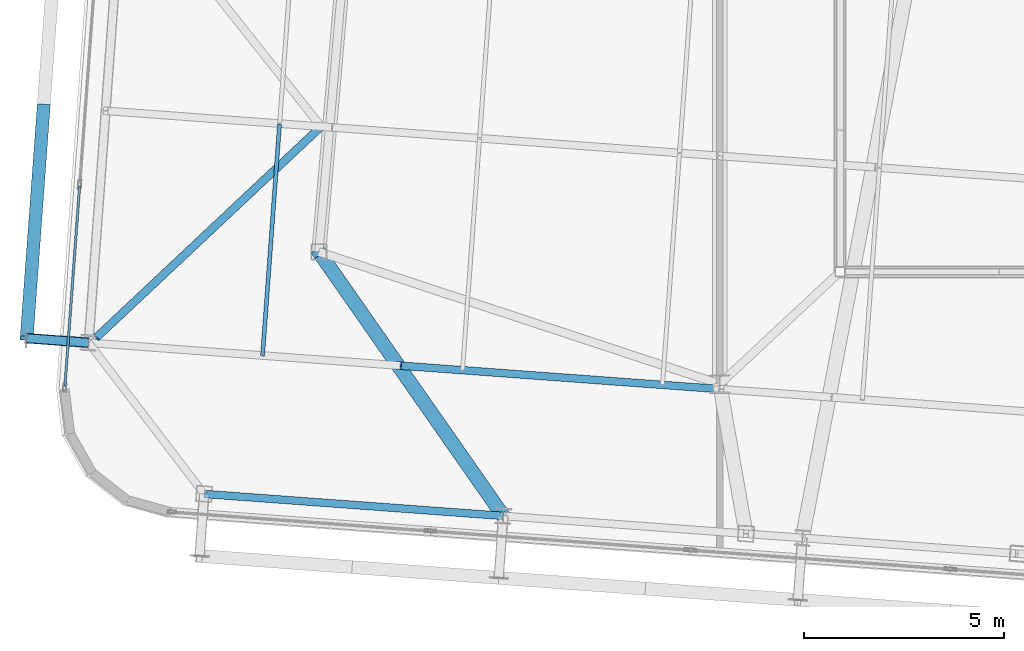
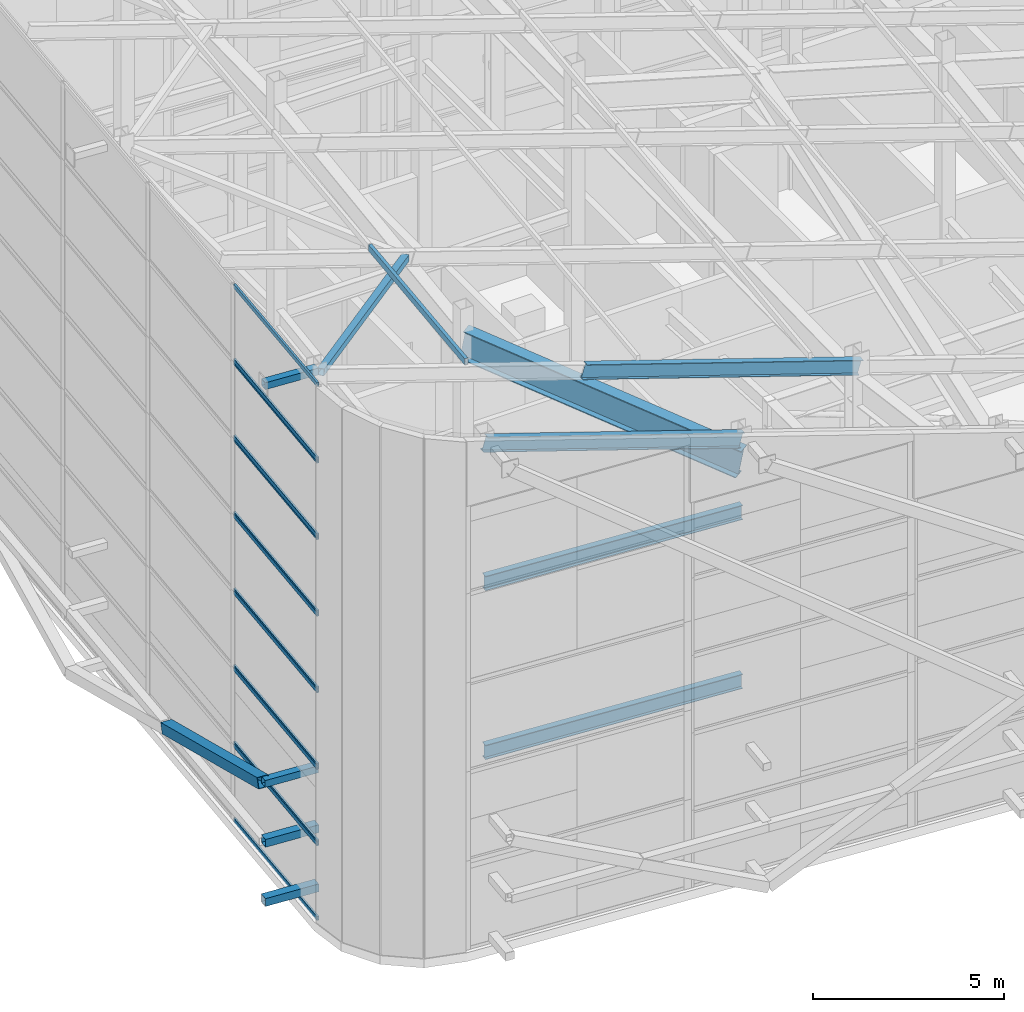
# One storey, part 7 of 56: 22 members, 4 beams, 7 elements without a shape of their own.
"""IFC4 building model written with IfcOpenShell, lengths in metres."""

from ifc_helpers import new_model, si_unit, direction, frame, origin, origin_2d, place, context, subcontext, project, spatial, hollow_rectangle, i_section, extrude, source, transform, mapped, material, layer, layer_set, material_profile, profile_set, type_object, element, aggregate, save


model = new_model("IFC4")

# Units and contexts
model_context = context("Model", 3, precision=1e-05, world=origin(), true_north=direction((0.0, 1.0)))
body_context = subcontext(model_context, "Body", "Model", "MODEL_VIEW")
ifc_project = project(units=[si_unit("LENGTHUNIT", "METRE"), si_unit("AREAUNIT", "SQUARE_METRE"), si_unit("VOLUMEUNIT", "CUBIC_METRE"), si_unit("PLANEANGLEUNIT", "RADIAN"), si_unit("MASSUNIT", "GRAM", prefix="KILO")], contexts=[model_context])

# Site, building, storey
site_placement = place(None, origin())
site = spatial("IfcSite", under=ifc_project, at=site_placement, CompositionType="ELEMENT")
building_placement = place(site_placement, origin())
building = spatial("IfcBuilding", under=site, at=building_placement, Name="Taldren Reach Tower", CompositionType="ELEMENT")
storey_placement = place(building_placement, frame((0.0, 0.0, 253.050048828125)))
storey = spatial("IfcBuildingStorey", under=building, at=storey_placement, Name="L77", CompositionType="ELEMENT", Elevation=253.050048828125)

# Members
ifc_material_1 = material(Name="Steel Gr 350 (C350L0)", Category="steel")
ifc_material_profile_1 = material_profile(ifc_material_1, hollow_rectangle(XDim=0.25, YDim=0.25, WallThickness=0.010009765625, at=origin_2d()), Name="250x250x10.0SHS")
ifc_profile_set_1 = profile_set([ifc_material_profile_1], Name="Steel Gr 350 (C350L0)")
member_type_1 = type_object("IfcMemberType", Name="MB-POST250", PredefinedType="POST", material=ifc_profile_set_1)
shared_shape_1 = source(origin(), body_context, "Body", "SweptSolid", [
    extrude(hollow_rectangle(XDim=0.25, YDim=0.25, WallThickness=0.010009765625, at=origin_2d()), origin(), (0.0, 0.0, 1.0), 1.5498046875),
])
for number, where, z_axis, x_axis, name in (
    (1, (12.259033203125, 10.2314453125, 0.219970703125), (-0.997313551801, 0.073250797913, 0.0), (-0.073250797913, -0.997313551801, 0.0), "Exoskeleton base diaphragm tie strut B5-W1 L77"),
    (2, (12.259033203125, 10.2314453125, 2.10986328125), (-0.997313551801, 0.073250797913, 0.0), (-0.073250797913, -0.997313551801, 0.0), "Exoskeleton mid-tier diaphragm tie B5-W1 L77"),
):
    element("IfcMember", number, at=place(storey_placement, frame(where, z_axis=z_axis, x_axis=x_axis)), inside=storey, type_object=member_type_1, Name=name, PredefinedType="POST", context=body_context, shape_type="MappedRepresentation", body=[
        mapped(shared_shape_1, transform((0.0, 0.0, 0.0), scale=1.0)),
    ])
ifc_material_2 = material(Name="Steel Gr 450 (C450L0)", Category="steel")
ifc_material_profile_2 = material_profile(ifc_material_2, hollow_rectangle(XDim=0.219970703125, YDim=0.219970703125, WallThickness=0.00830078125, at=origin_2d()), Name="220x220x8.2SHS")
ifc_profile_set_2 = profile_set([ifc_material_profile_2], Name="Steel Gr 450 (C450L0)")
member_type_2 = type_object("IfcMemberType", Name="MB-TIE219", PredefinedType="STRUT", material=ifc_profile_set_2)
shared_shape_2 = source(origin(), body_context, "Body", "SweptSolid", [
    extrude(hollow_rectangle(XDim=0.219970703125, YDim=0.219970703125, WallThickness=0.00830078125, at=origin_2d()), origin(), (0.0, 0.0, 1.0), 1.5498046875),
])
for number, where, z_axis, x_axis, name in (
    (3, (12.259033203125, 10.2314453125, 16.713623046875), (-0.997313551801, 0.073250797913, 0.0), (-0.073250797913, -0.997313551801, 0.0), "Exoskeleton diaphragm tie strut B5-W1 L77"),
    (4, (12.259033203125, 10.2314453125, 4.0), (-0.997313551801, 0.073250797913, 0.0), (-0.073250797913, -0.997313551801, 0.0), "Crown exoskeleton mid-tier tie strut B5-W1"),
):
    element("IfcMember", number, at=place(storey_placement, frame(where, z_axis=z_axis, x_axis=x_axis)), inside=storey, type_object=member_type_2, Name=name, PredefinedType="STRUT", context=body_context, shape_type="MappedRepresentation", body=[
        mapped(shared_shape_2, transform((0.0, 0.0, 0.0), scale=1.0)),
    ])

# Beam
ifc_material_3 = material(Name="Steel Gr 350 (350PLUS)", Category="steel")
ifc_material_profile_3 = material_profile(ifc_material_3, i_section(OverallWidth=0.35009765625, OverallDepth=0.916015625, WebThickness=0.013916015625, FlangeThickness=0.028076171875, at=origin_2d()), Name="900WB257")
ifc_profile_set_3 = profile_set([ifc_material_profile_3], Name="Steel Gr 350 (350PLUS)")
beam_type_1 = type_object("IfcBeamType", Name="BM-WB900", PredefinedType="BEAM", material=ifc_profile_set_3)
shared_shape_3 = source(origin(), body_context, "Body", "SweptSolid", [
    extrude(i_section(OverallWidth=0.35009765625, OverallDepth=0.916015625, WebThickness=0.013916015625, FlangeThickness=0.028076171875, at=origin_2d()), origin(), (0.0, 0.0, 1.0), 8.16552734375),
])
beam_1_placement = place(storey_placement, frame((22.6005859375, 5.912353515625, 12.764892578125), z_axis=(-0.563417210154, 0.806765367309, 0.178018789496), x_axis=(-0.819860933575, -0.572562703639, 0.0)))
element("IfcBeam", 5, at=beam_1_placement, inside=storey, type_object=beam_type_1, Name="Crown transverse portal girder PF1-1", PredefinedType="BEAM", context=body_context, shape_type="MappedRepresentation", body=[
    mapped(shared_shape_3, transform((0.0, 0.0, 0.0), scale=1.0)),
])

# Members
ifc_material_profile_4 = material_profile(ifc_material_3, i_section(OverallWidth=0.19091796875, OverallDepth=0.4599609375, WebThickness=0.010009765625, FlangeThickness=0.01611328125, at=origin_2d()), Name="460UB82.1")
ifc_profile_set_4 = profile_set([ifc_material_profile_4], Name="Steel Gr 350 (350PLUS)")
member_type_3 = type_object("IfcMemberType", Name="MB-RAF460", PredefinedType="RAFTER", material=ifc_profile_set_4)
shared_shape_4 = source(origin(), body_context, "Body", "SweptSolid", [
    extrude(i_section(OverallWidth=0.19091796875, OverallDepth=0.4599609375, WebThickness=0.010009765625, FlangeThickness=0.01611328125, at=origin_2d()), origin(), (0.0, 0.0, 1.0), 8.35693359375),
])
member_1_placement = place(storey_placement, frame((28.007080078125, 9.074951171875, 12.0126953125), z_axis=(-0.958696711101, 0.070406480795, 0.27557856155), x_axis=(-0.073242537843, -0.997314158453, 0.0)))
element("IfcMember", 6, at=member_1_placement, inside=storey, type_object=member_type_3, Name="Crown sloped rafter RF-1.6", PredefinedType="RAFTER", context=body_context, shape_type="MappedRepresentation", body=[
    mapped(shared_shape_4, transform((0.0, 0.0, 0.0), scale=1.0)),
])
ifc_material_profile_5 = material_profile(ifc_material_1, hollow_rectangle(XDim=0.10009765625, YDim=0.199951171875, WallThickness=0.006103515625, at=origin_2d()), Name="200x100x6.0RHS")
ifc_profile_set_5 = profile_set([ifc_material_profile_5], Name="Steel Gr 350 (C350L0)")
member_type_4 = type_object("IfcMemberType", Name="MB-PUR200", PredefinedType="PURLIN", material=ifc_profile_set_5)
shared_shape_5 = source(origin(), body_context, "Body", "SweptSolid", [
    extrude(hollow_rectangle(XDim=0.10009765625, YDim=0.199951171875, WallThickness=0.006103515625, at=origin_2d()), origin(), (0.0, 0.0, 1.0), 5.78515625),
])
member_2_placement = place(storey_placement, frame((16.597412109375, 9.912841796875, 15.642578125), z_axis=(0.07322033234, 0.997315788972, 0.0), x_axis=(-0.997315788972, 0.07322033234, 0.0)))
element("IfcMember", 7, at=member_2_placement, inside=storey, type_object=member_type_4, Name="Crown roof purlin PR-1.1", PredefinedType="PURLIN", context=body_context, shape_type="MappedRepresentation", body=[
    mapped(shared_shape_5, transform((0.0, 0.0, 0.0), scale=1.0)),
])

# Beam
ifc_material_profile_6 = material_profile(ifc_material_3, i_section(OverallWidth=0.19091796875, OverallDepth=0.4599609375, WebThickness=0.010009765625, FlangeThickness=0.01611328125, at=origin_2d()), Name="460UB82.1")
ifc_profile_set_6 = profile_set([ifc_material_profile_6], Name="Steel Gr 350 (350PLUS)")
beam_type_2 = type_object("IfcBeamType", Name="BM-UB460A", PredefinedType="BEAM", material=ifc_profile_set_6)
shared_shape_6 = source(origin(), body_context, "Body", "SweptSolid", [
    extrude(i_section(OverallWidth=0.19091796875, OverallDepth=0.4599609375, WebThickness=0.010009765625, FlangeThickness=0.01611328125, at=origin_2d()), origin(), (0.0, 0.0, 1.0), 7.78125),
])
beam_2_placement = place(storey_placement, frame((15.140625, 6.460205078125, 15.63623046875), z_axis=(0.958699751976, -0.070405885699, -0.275568134625), x_axis=(0.07324169103, 0.997314220642, 0.0)))
element("IfcBeam", 8, at=beam_2_placement, inside=storey, type_object=beam_type_2, Name="Crown sloped perimeter rake girder S1", PredefinedType="BEAM", context=body_context, shape_type="MappedRepresentation", body=[
    mapped(shared_shape_6, transform((0.0, 0.0, 0.0), scale=1.0)),
])

# Member
ifc_material_profile_7 = material_profile(ifc_material_1, hollow_rectangle(XDim=0.199951171875, YDim=0.199951171875, WallThickness=0.009033203125, at=origin_2d()), Name="200x200x9.0SHS")
ifc_profile_set_7 = profile_set([ifc_material_profile_7], Name="Steel Gr 350 (C350L0)")
member_type_5 = type_object("IfcMemberType", Name="BR-ROOF-200", PredefinedType="BRACE", material=ifc_profile_set_7)
shared_shape_7 = source(origin(), body_context, "Body", "SweptSolid", [
    extrude(hollow_rectangle(XDim=0.199951171875, YDim=0.199951171875, WallThickness=0.009033203125, at=origin_2d()), origin(), (0.0, 0.0, 1.0), 7.8251953125),
])
member_3_placement = place(storey_placement, frame((12.448974609375, 10.35791015625, 16.48779296875), z_axis=(0.715566688786, 0.672074211604, -0.190474586224), x_axis=(-0.684607926653, 0.728911508184, 0.0)))
element("IfcMember", 9, at=member_3_placement, inside=storey, type_object=member_type_5, Name="Crown sloped roof wind brace RB-5", PredefinedType="BRACE", context=body_context, shape_type="MappedRepresentation", body=[
    mapped(shared_shape_7, transform((0.0, 0.0, 0.0), scale=1.0)),
])

# Beams
shared_shape_8 = source(origin(), body_context, "Body", "SweptSolid", [
    extrude(i_section(OverallWidth=0.19091796875, OverallDepth=0.4599609375, WebThickness=0.010009765625, FlangeThickness=0.01611328125, at=origin_2d()), origin(), (0.0, 0.0, 1.0), 7.47998046875),
])
for number, where, z_axis, x_axis, name in (
    (10, (15.140625, 6.460205078125, 5.800048828125), (0.997314220642, -0.07324169103, 0.0), (0.07324169103, 0.997314220642, 0.0), "Crown perimeter wind girt LO S1-S2"),
    (11, (15.140625, 6.460205078125, 11.199951171875), (0.997314220642, -0.07324169103, 0.0), (0.07324169103, 0.997314220642, 0.0), "Crown perimeter wind girt HI S1-S2"),
):
    element("IfcBeam", number, at=place(storey_placement, frame(where, z_axis=z_axis, x_axis=x_axis)), inside=storey, type_object=beam_type_2, Name=name, PredefinedType="BEAM", context=body_context, shape_type="MappedRepresentation", body=[
        mapped(shared_shape_8, transform((0.0, 0.0, 0.0), scale=1.0)),
    ])

# Member
ifc_material_profile_8 = material_profile(ifc_material_2, hollow_rectangle(XDim=0.324951171875, YDim=0.324951171875, WallThickness=0.0126953125, at=origin_2d()), Name="325x325x12.7SHS")
ifc_profile_set_8 = profile_set([ifc_material_profile_8], Name="Steel Gr 450 (C450L0)")
member_type_6 = type_object("IfcMemberType", Name="MB-BR324", PredefinedType="BRACE", material=ifc_profile_set_8)
shared_shape_9 = source(origin(), body_context, "Body", "SweptSolid", [
    extrude(hollow_rectangle(XDim=0.324951171875, YDim=0.324951171875, WallThickness=0.0126953125, at=origin_2d()), origin(), (0.0, 0.0, 1.0), 6.10009765625),
])
member_4_placement = place(storey_placement, frame((11.137939453125, 16.12939453125, 2.10986328125), z_axis=(-0.069597819486, -0.948235271466, 0.309848371742), x_axis=(0.997317259472, -0.073200300267, 0.0)))
element("IfcMember", 12, at=member_4_placement, inside=storey, type_object=member_type_6, Name="Exoskeleton Diagrid Brace B5-W1 L77", PredefinedType="BRACE", context=body_context, shape_type="MappedRepresentation", body=[
    mapped(shared_shape_9, transform((0.0, 0.0, 0.0), scale=1.0)),
])

# Curtain wall, members
ifc_material_4 = material(Name="Aluminium and Low-E Glass Unitised System", Category="aluminium")
ifc_layer = layer(ifc_material_4, 0.159912109375)
ifc_layer_set = layer_set([ifc_layer], Name="Aluminium and Low-E Glass Unitised System")
curtain_wall_type = type_object("IfcCurtainWallType", Name="CW-SYS-8", PredefinedType="NOTDEFINED", material=ifc_layer_set)
curtain_wall_1_placement = place(storey_placement, origin())
curtain_wall_1 = element("IfcCurtainWall", 13, at=curtain_wall_1_placement, inside=storey, type_object=curtain_wall_type, Name="Unitised curtain wall CW8-L77-W", PredefinedType="NOTDEFINED")
ifc_material_5 = material(Name="Anodised Aluminium 6063-T6", Category="aluminium")
ifc_material_profile_9 = material_profile(ifc_material_5, hollow_rectangle(XDim=0.06005859375, YDim=0.135009765625, WallThickness=0.00341796875, at=origin_2d()), Name="ALU-135x60x3.5RHS")
ifc_profile_set_9 = profile_set([ifc_material_profile_9], Name="Anodised Aluminium 6063-T6")
member_type_7 = type_object("IfcMemberType", Name="CW-TRN-150", PredefinedType="USERDEFINED", material=ifc_profile_set_9)
shared_shape_10 = source(origin(), body_context, "Body", "SweptSolid", [
    extrude(hollow_rectangle(XDim=0.06005859375, YDim=0.135009765625, WallThickness=0.00341796875, at=origin_2d()), origin(), (0.0, 0.0, 1.0), 5.007568359375),
])
member_5_placement = place(storey_placement, frame((12.034912109375, 14.140869140625, 0.030029296875), z_axis=(-0.073228753731, -0.997315170659, 0.0), x_axis=(0.997315170659, -0.073228753731, 0.0)))
member_5 = element("IfcMember", 14, at=member_5_placement, type_object=member_type_7, Name="CW-8 transom 5.1", ObjectType="TRANSOM", PredefinedType="USERDEFINED", context=body_context, shape_type="MappedRepresentation", body=[
    mapped(shared_shape_10, transform((0.0, 0.0, 0.0), scale=1.0)),
])
member_6_placement = place(storey_placement, frame((12.034912109375, 14.140869140625, 2.416259765625), z_axis=(-0.073228753731, -0.997315170659, 0.0), x_axis=(0.997315170659, -0.073228753731, 0.0)))
member_6 = element("IfcMember", 15, at=member_6_placement, type_object=member_type_7, Name="CW-8 transom 5.2", ObjectType="TRANSOM", PredefinedType="USERDEFINED", context=body_context, shape_type="MappedRepresentation", body=[
    mapped(shared_shape_10, transform((0.0, 0.0, 0.0), scale=1.0)),
])
aggregate(curtain_wall_1, [member_5, member_6])

curtain_wall_2_placement = place(storey_placement, origin())
curtain_wall_2 = element("IfcCurtainWall", 16, at=curtain_wall_2_placement, inside=storey, type_object=curtain_wall_type, Name="Unitised curtain wall CW8-L77-W-T2", PredefinedType="NOTDEFINED")
member_7_placement = place(storey_placement, frame((12.034912109375, 14.140869140625, 2.476318359375), z_axis=(-0.073228753731, -0.997315170659, 0.0), x_axis=(0.997315170659, -0.073228753731, 0.0)))
member_7 = element("IfcMember", 17, at=member_7_placement, type_object=member_type_7, Name="CW-8 transom 5.1", ObjectType="TRANSOM", PredefinedType="USERDEFINED", context=body_context, shape_type="MappedRepresentation", body=[
    mapped(shared_shape_10, transform((0.0, 0.0, 0.0), scale=1.0)),
])
member_8_placement = place(storey_placement, frame((12.034912109375, 14.140869140625, 4.86279296875), z_axis=(-0.073228753731, -0.997315170659, 0.0), x_axis=(0.997315170659, -0.073228753731, 0.0)))
member_8 = element("IfcMember", 18, at=member_8_placement, type_object=member_type_7, Name="CW-8 transom 5.2", ObjectType="TRANSOM", PredefinedType="USERDEFINED", context=body_context, shape_type="MappedRepresentation", body=[
    mapped(shared_shape_10, transform((0.0, 0.0, 0.0), scale=1.0)),
])
aggregate(curtain_wall_2, [member_7, member_8])

curtain_wall_3_placement = place(storey_placement, origin())
curtain_wall_3 = element("IfcCurtainWall", 19, at=curtain_wall_3_placement, inside=storey, type_object=curtain_wall_type, Name="Unitised curtain wall CW8-L77-W-T3", PredefinedType="NOTDEFINED")
member_9_placement = place(storey_placement, frame((12.034912109375, 14.140869140625, 4.9228515625), z_axis=(-0.073228753731, -0.997315170659, 0.0), x_axis=(0.997315170659, -0.073228753731, 0.0)))
member_9 = element("IfcMember", 20, at=member_9_placement, type_object=member_type_7, Name="CW-8 transom 5.1", ObjectType="TRANSOM", PredefinedType="USERDEFINED", context=body_context, shape_type="MappedRepresentation", body=[
    mapped(shared_shape_10, transform((0.0, 0.0, 0.0), scale=1.0)),
])
member_10_placement = place(storey_placement, frame((12.034912109375, 14.140869140625, 7.30908203125), z_axis=(-0.073228753731, -0.997315170659, 0.0), x_axis=(0.997315170659, -0.073228753731, 0.0)))
member_10 = element("IfcMember", 21, at=member_10_placement, type_object=member_type_7, Name="CW-8 transom 5.2", ObjectType="TRANSOM", PredefinedType="USERDEFINED", context=body_context, shape_type="MappedRepresentation", body=[
    mapped(shared_shape_10, transform((0.0, 0.0, 0.0), scale=1.0)),
])
aggregate(curtain_wall_3, [member_9, member_10])

curtain_wall_4_placement = place(storey_placement, origin())
curtain_wall_4 = element("IfcCurtainWall", 22, at=curtain_wall_4_placement, inside=storey, type_object=curtain_wall_type, Name="Unitised curtain wall CW8-L77-W-T4", PredefinedType="NOTDEFINED")
member_11_placement = place(storey_placement, frame((12.034912109375, 14.140869140625, 7.369140625), z_axis=(-0.073228753731, -0.997315170659, 0.0), x_axis=(0.997315170659, -0.073228753731, 0.0)))
member_11 = element("IfcMember", 23, at=member_11_placement, type_object=member_type_7, Name="CW-8 transom 5.1", ObjectType="TRANSOM", PredefinedType="USERDEFINED", context=body_context, shape_type="MappedRepresentation", body=[
    mapped(shared_shape_10, transform((0.0, 0.0, 0.0), scale=1.0)),
])
member_12_placement = place(storey_placement, frame((12.034912109375, 14.140869140625, 9.755615234375), z_axis=(-0.073228753731, -0.997315170659, 0.0), x_axis=(0.997315170659, -0.073228753731, 0.0)))
member_12 = element("IfcMember", 24, at=member_12_placement, type_object=member_type_7, Name="CW-8 transom 5.2", ObjectType="TRANSOM", PredefinedType="USERDEFINED", context=body_context, shape_type="MappedRepresentation", body=[
    mapped(shared_shape_10, transform((0.0, 0.0, 0.0), scale=1.0)),
])
aggregate(curtain_wall_4, [member_11, member_12])

curtain_wall_5_placement = place(storey_placement, origin())
curtain_wall_5 = element("IfcCurtainWall", 25, at=curtain_wall_5_placement, inside=storey, type_object=curtain_wall_type, Name="Unitised curtain wall CW8-L77-W-T5", PredefinedType="NOTDEFINED")
member_13_placement = place(storey_placement, frame((12.034912109375, 14.140869140625, 9.8154296875), z_axis=(-0.073228753731, -0.997315170659, 0.0), x_axis=(0.997315170659, -0.073228753731, 0.0)))
member_13 = element("IfcMember", 26, at=member_13_placement, type_object=member_type_7, Name="CW-8 transom 5.1", ObjectType="TRANSOM", PredefinedType="USERDEFINED", context=body_context, shape_type="MappedRepresentation", body=[
    mapped(shared_shape_10, transform((0.0, 0.0, 0.0), scale=1.0)),
])
member_14_placement = place(storey_placement, frame((12.034912109375, 14.140869140625, 12.201904296875), z_axis=(-0.073228753731, -0.997315170659, 0.0), x_axis=(0.997315170659, -0.073228753731, 0.0)))
member_14 = element("IfcMember", 27, at=member_14_placement, type_object=member_type_7, Name="CW-8 transom 5.2", ObjectType="TRANSOM", PredefinedType="USERDEFINED", context=body_context, shape_type="MappedRepresentation", body=[
    mapped(shared_shape_10, transform((0.0, 0.0, 0.0), scale=1.0)),
])
aggregate(curtain_wall_5, [member_13, member_14])

curtain_wall_6_placement = place(storey_placement, origin())
curtain_wall_6 = element("IfcCurtainWall", 28, at=curtain_wall_6_placement, inside=storey, type_object=curtain_wall_type, Name="Unitised curtain wall CW8-L77-W-T6", PredefinedType="NOTDEFINED")
member_15_placement = place(storey_placement, frame((12.034912109375, 14.140869140625, 12.261962890625), z_axis=(-0.073228753731, -0.997315170659, 0.0), x_axis=(0.997315170659, -0.073228753731, 0.0)))
member_15 = element("IfcMember", 29, at=member_15_placement, type_object=member_type_7, Name="CW-8 transom 5.1", ObjectType="TRANSOM", PredefinedType="USERDEFINED", context=body_context, shape_type="MappedRepresentation", body=[
    mapped(shared_shape_10, transform((0.0, 0.0, 0.0), scale=1.0)),
])
member_16_placement = place(storey_placement, frame((12.034912109375, 14.140869140625, 14.6484375), z_axis=(-0.073228753731, -0.997315170659, 0.0), x_axis=(0.997315170659, -0.073228753731, 0.0)))
member_16 = element("IfcMember", 30, at=member_16_placement, type_object=member_type_7, Name="CW-8 transom 5.2", ObjectType="TRANSOM", PredefinedType="USERDEFINED", context=body_context, shape_type="MappedRepresentation", body=[
    mapped(shared_shape_10, transform((0.0, 0.0, 0.0), scale=1.0)),
])
aggregate(curtain_wall_6, [member_15, member_16])

curtain_wall_7_placement = place(storey_placement, origin())
curtain_wall_7 = element("IfcCurtainWall", 31, at=curtain_wall_7_placement, inside=storey, type_object=curtain_wall_type, Name="Unitised curtain wall CW8-L77-W-T7", PredefinedType="NOTDEFINED")
member_17_placement = place(storey_placement, frame((12.034912109375, 14.140869140625, 14.708251953125), z_axis=(-0.073228753731, -0.997315170659, 0.0), x_axis=(0.997315170659, -0.073228753731, 0.0)))
member_17 = element("IfcMember", 32, at=member_17_placement, type_object=member_type_7, Name="CW-8 transom 5.1", ObjectType="TRANSOM", PredefinedType="USERDEFINED", context=body_context, shape_type="MappedRepresentation", body=[
    mapped(shared_shape_10, transform((0.0, 0.0, 0.0), scale=1.0)),
])
member_18_placement = place(storey_placement, frame((12.034912109375, 14.140869140625, 17.0947265625), z_axis=(-0.073228753731, -0.997315170659, 0.0), x_axis=(0.997315170659, -0.073228753731, 0.0)))
member_18 = element("IfcMember", 33, at=member_18_placement, type_object=member_type_7, Name="CW-8 transom 5.2", ObjectType="TRANSOM", PredefinedType="USERDEFINED", context=body_context, shape_type="MappedRepresentation", body=[
    mapped(shared_shape_10, transform((0.0, 0.0, 0.0), scale=1.0)),
])
aggregate(curtain_wall_7, [member_17, member_18])

save(model, "model.ifc")
